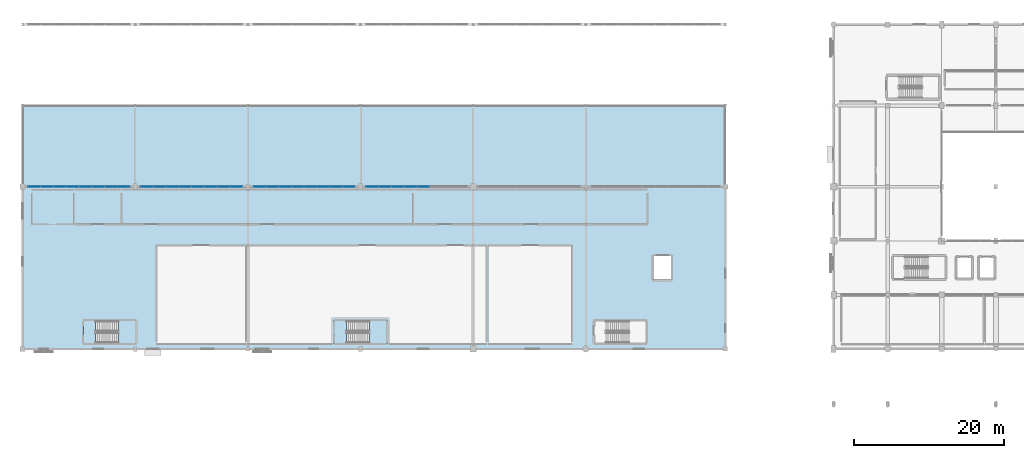
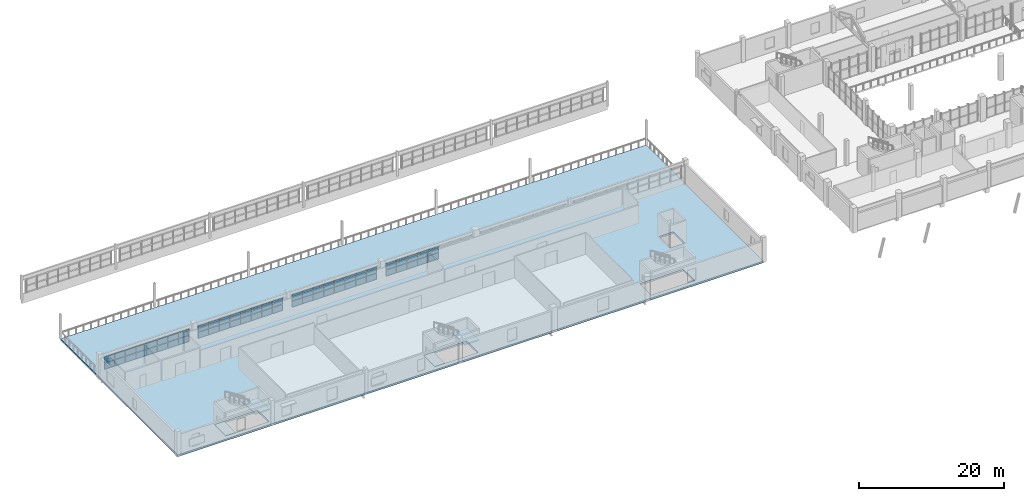
# One storey, part 51 of 92: 58 plates, 5 slabs, 6 elements without a shape of their own.
"""IFC4 building model written with IfcOpenShell, lengths in metres."""

from ifc_helpers import new_model, si_unit, direction, frame, origin, origin_2d, place, context, subcontext, project, spatial, polyline, rectangle, outline, extrude, material, layer, layer_set, type_object, element, aggregate, save


model = new_model("IFC4")

# Units and contexts
model_context = context("Model", 3, precision=1e-05, world=origin(), true_north=direction((0.0, 1.0)))
body_context = subcontext(model_context, "Body", "Model", "MODEL_VIEW")
ifc_project = project(units=[si_unit("LENGTHUNIT", "METRE"), si_unit("AREAUNIT", "SQUARE_METRE"), si_unit("VOLUMEUNIT", "CUBIC_METRE"), si_unit("PLANEANGLEUNIT", "RADIAN"), si_unit("MASSUNIT", "GRAM", prefix="KILO")], contexts=[model_context])

# Site, building, storey
site_placement = place(None, origin())
site = spatial("IfcSite", under=ifc_project, at=site_placement, CompositionType="ELEMENT")
building_placement = place(site_placement, origin())
building = spatial("IfcBuilding", under=site, at=building_placement, Name="Solanera Park Tramway Depot", CompositionType="ELEMENT")
storey_placement = place(building_placement, frame((0.0, 0.0, 4.800048828125)))
storey = spatial("IfcBuildingStorey", under=building, at=storey_placement, Name="L01", CompositionType="ELEMENT", Elevation=4.800048828125)

# Curtain wall, plates
ifc_material_1 = material(Name="Bronze-anodised thermally broken aluminium curtain wall", Category="aluminium")
curtain_wall_type = type_object("IfcCurtainWallType", Name="Workshop Daylight Ribbon Curtain Wall", PredefinedType="NOTDEFINED", material=ifc_material_1)
curtain_wall_1_placement = place(storey_placement, origin())
curtain_wall_1 = element("IfcCurtainWall", 1, at=curtain_wall_1_placement, inside=storey, type_object=curtain_wall_type, Name="L01 Workshop Daylight Ribbon Curtain Wall #141", PredefinedType="NOTDEFINED")
ifc_material_2 = material(Name="Low-E laminated solar-control double glazing", Category="glass")
ifc_layer_1 = layer(ifc_material_2, 0.028076171875)
ifc_layer_set_1 = layer_set([ifc_layer_1], Name="Low-E laminated solar-control double glazing")
plate_type = type_object("IfcPlateType", Name="Curtain Wall Double Glazing Panel 28", PredefinedType="CURTAIN_PANEL", material=ifc_layer_set_1)
plate_1_placement = place(storey_placement, frame((1.56640625, 32.39990234375, 1.11181640625), z_axis=(0.0, 0.0, 1.0), x_axis=(1.0, 0.0, 0.0)))
plate_1 = element("IfcPlate", 2, at=plate_1_placement, type_object=plate_type, Name="CW-L01-141 Glazing Panel R1.C1", PredefinedType="CURTAIN_PANEL", context=body_context, shape_type="SweptSolid", body=[
    extrude(rectangle(XDim=1.615478515625, YDim=0.028076171875, at=origin_2d()), origin(), (0.0, 0.0, 1.0), 0.986083984375),
])
plate_2_placement = place(storey_placement, frame((3.25, 32.39990234375, 1.11181640625), z_axis=(0.0, 0.0, 1.0), x_axis=(1.0, 0.0, 0.0)))
plate_2 = element("IfcPlate", 3, at=plate_2_placement, type_object=plate_type, Name="CW-L01-141 Glazing Panel R1.C2", PredefinedType="CURTAIN_PANEL", context=body_context, shape_type="SweptSolid", body=[
    extrude(rectangle(XDim=1.64794921875, YDim=0.028076171875, at=origin_2d()), origin(), (0.0, 0.0, 1.0), 0.986083984375),
])
plate_3_placement = place(storey_placement, frame((4.949951171875, 32.39990234375, 1.11181640625), z_axis=(0.0, 0.0, 1.0), x_axis=(1.0, 0.0, 0.0)))
plate_3 = element("IfcPlate", 4, at=plate_3_placement, type_object=plate_type, Name="CW-L01-141 Glazing Panel R1.C3", PredefinedType="CURTAIN_PANEL", context=body_context, shape_type="SweptSolid", body=[
    extrude(rectangle(XDim=1.64794921875, YDim=0.028076171875, at=origin_2d()), origin(), (0.0, 0.0, 1.0), 0.986083984375),
])
plate_4_placement = place(storey_placement, frame((6.64990234375, 32.39990234375, 1.11181640625), z_axis=(0.0, 0.0, 1.0), x_axis=(1.0, 0.0, 0.0)))
plate_4 = element("IfcPlate", 5, at=plate_4_placement, type_object=plate_type, Name="CW-L01-141 Glazing Panel R1.C4", PredefinedType="CURTAIN_PANEL", context=body_context, shape_type="SweptSolid", body=[
    extrude(rectangle(XDim=1.64794921875, YDim=0.028076171875, at=origin_2d()), origin(), (0.0, 0.0, 1.0), 0.986083984375),
])
plate_5_placement = place(storey_placement, frame((8.35009765625, 32.39990234375, 1.11181640625), z_axis=(0.0, 0.0, 1.0), x_axis=(1.0, 0.0, 0.0)))
plate_5 = element("IfcPlate", 6, at=plate_5_placement, type_object=plate_type, Name="CW-L01-141 Glazing Panel R1.C5", PredefinedType="CURTAIN_PANEL", context=body_context, shape_type="SweptSolid", body=[
    extrude(rectangle(XDim=1.64794921875, YDim=0.028076171875, at=origin_2d()), origin(), (0.0, 0.0, 1.0), 0.986083984375),
])
plate_6_placement = place(storey_placement, frame((10.050048828125, 32.39990234375, 1.11181640625), z_axis=(0.0, 0.0, 1.0), x_axis=(1.0, 0.0, 0.0)))
plate_6 = element("IfcPlate", 7, at=plate_6_placement, type_object=plate_type, Name="CW-L01-141 Glazing Panel R1.C6", PredefinedType="CURTAIN_PANEL", context=body_context, shape_type="SweptSolid", body=[
    extrude(rectangle(XDim=1.64794921875, YDim=0.028076171875, at=origin_2d()), origin(), (0.0, 0.0, 1.0), 0.986083984375),
])
plate_7_placement = place(storey_placement, frame((11.75, 32.39990234375, 1.11181640625), z_axis=(0.0, 0.0, 1.0), x_axis=(1.0, 0.0, 0.0)))
plate_7 = element("IfcPlate", 8, at=plate_7_placement, type_object=plate_type, Name="CW-L01-141 Glazing Panel R1.C7", PredefinedType="CURTAIN_PANEL", context=body_context, shape_type="SweptSolid", body=[
    extrude(rectangle(XDim=1.64794921875, YDim=0.028076171875, at=origin_2d()), origin(), (0.0, 0.0, 1.0), 0.986083984375),
])
plate_8_placement = place(storey_placement, frame((13.43359375, 32.39990234375, 1.11181640625), z_axis=(0.0, 0.0, 1.0), x_axis=(1.0, 0.0, 0.0)))
plate_8 = element("IfcPlate", 9, at=plate_8_placement, type_object=plate_type, Name="CW-L01-141 Glazing Panel R1.C8", PredefinedType="CURTAIN_PANEL", context=body_context, shape_type="SweptSolid", body=[
    extrude(rectangle(XDim=1.615478515625, YDim=0.028076171875, at=origin_2d()), origin(), (0.0, 0.0, 1.0), 0.986083984375),
])
plate_9_placement = place(storey_placement, frame((1.56640625, 32.39990234375, 2.2021484375), z_axis=(0.0, 0.0, 1.0), x_axis=(1.0, 0.0, 0.0)))
plate_9 = element("IfcPlate", 10, at=plate_9_placement, type_object=plate_type, Name="CW-L01-141 Glazing Panel R2.C1", PredefinedType="CURTAIN_PANEL", context=body_context, shape_type="SweptSolid", body=[
    extrude(rectangle(XDim=1.615478515625, YDim=0.028076171875, at=origin_2d()), origin(), (0.0, 0.0, 1.0), 0.986083984375),
])
plate_10_placement = place(storey_placement, frame((3.25, 32.39990234375, 2.2021484375), z_axis=(0.0, 0.0, 1.0), x_axis=(1.0, 0.0, 0.0)))
plate_10 = element("IfcPlate", 11, at=plate_10_placement, type_object=plate_type, Name="CW-L01-141 Glazing Panel R2.C2", PredefinedType="CURTAIN_PANEL", context=body_context, shape_type="SweptSolid", body=[
    extrude(rectangle(XDim=1.64794921875, YDim=0.028076171875, at=origin_2d()), origin(), (0.0, 0.0, 1.0), 0.986083984375),
])
plate_11_placement = place(storey_placement, frame((4.949951171875, 32.39990234375, 2.2021484375), z_axis=(0.0, 0.0, 1.0), x_axis=(1.0, 0.0, 0.0)))
plate_11 = element("IfcPlate", 12, at=plate_11_placement, type_object=plate_type, Name="CW-L01-141 Glazing Panel R2.C3", PredefinedType="CURTAIN_PANEL", context=body_context, shape_type="SweptSolid", body=[
    extrude(rectangle(XDim=1.64794921875, YDim=0.028076171875, at=origin_2d()), origin(), (0.0, 0.0, 1.0), 0.986083984375),
])
plate_12_placement = place(storey_placement, frame((6.64990234375, 32.39990234375, 2.2021484375), z_axis=(0.0, 0.0, 1.0), x_axis=(1.0, 0.0, 0.0)))
plate_12 = element("IfcPlate", 13, at=plate_12_placement, type_object=plate_type, Name="CW-L01-141 Glazing Panel R2.C4", PredefinedType="CURTAIN_PANEL", context=body_context, shape_type="SweptSolid", body=[
    extrude(rectangle(XDim=1.64794921875, YDim=0.028076171875, at=origin_2d()), origin(), (0.0, 0.0, 1.0), 0.986083984375),
])
plate_13_placement = place(storey_placement, frame((8.35009765625, 32.39990234375, 2.2021484375), z_axis=(0.0, 0.0, 1.0), x_axis=(1.0, 0.0, 0.0)))
plate_13 = element("IfcPlate", 14, at=plate_13_placement, type_object=plate_type, Name="CW-L01-141 Glazing Panel R2.C5", PredefinedType="CURTAIN_PANEL", context=body_context, shape_type="SweptSolid", body=[
    extrude(rectangle(XDim=1.64794921875, YDim=0.028076171875, at=origin_2d()), origin(), (0.0, 0.0, 1.0), 0.986083984375),
])
plate_14_placement = place(storey_placement, frame((10.050048828125, 32.39990234375, 2.2021484375), z_axis=(0.0, 0.0, 1.0), x_axis=(1.0, 0.0, 0.0)))
plate_14 = element("IfcPlate", 15, at=plate_14_placement, type_object=plate_type, Name="CW-L01-141 Glazing Panel R2.C6", PredefinedType="CURTAIN_PANEL", context=body_context, shape_type="SweptSolid", body=[
    extrude(rectangle(XDim=1.64794921875, YDim=0.028076171875, at=origin_2d()), origin(), (0.0, 0.0, 1.0), 0.986083984375),
])
plate_15_placement = place(storey_placement, frame((11.75, 32.39990234375, 2.2021484375), z_axis=(0.0, 0.0, 1.0), x_axis=(1.0, 0.0, 0.0)))
plate_15 = element("IfcPlate", 16, at=plate_15_placement, type_object=plate_type, Name="CW-L01-141 Glazing Panel R2.C7", PredefinedType="CURTAIN_PANEL", context=body_context, shape_type="SweptSolid", body=[
    extrude(rectangle(XDim=1.64794921875, YDim=0.028076171875, at=origin_2d()), origin(), (0.0, 0.0, 1.0), 0.986083984375),
])
plate_16_placement = place(storey_placement, frame((13.43359375, 32.39990234375, 2.2021484375), z_axis=(0.0, 0.0, 1.0), x_axis=(1.0, 0.0, 0.0)))
plate_16 = element("IfcPlate", 17, at=plate_16_placement, type_object=plate_type, Name="CW-L01-141 Glazing Panel R2.C8", PredefinedType="CURTAIN_PANEL", context=body_context, shape_type="SweptSolid", body=[
    extrude(rectangle(XDim=1.615478515625, YDim=0.028076171875, at=origin_2d()), origin(), (0.0, 0.0, 1.0), 0.986083984375),
])
aggregate(curtain_wall_1, [plate_1, plate_2, plate_3, plate_4, plate_5, plate_6, plate_7, plate_8, plate_9, plate_10, plate_11, plate_12, plate_13, plate_14, plate_15, plate_16])

curtain_wall_2_placement = place(storey_placement, origin())
curtain_wall_2 = element("IfcCurtainWall", 18, at=curtain_wall_2_placement, inside=storey, type_object=curtain_wall_type, Name="L01 Workshop Daylight Ribbon Curtain Wall #143", PredefinedType="NOTDEFINED")
plate_17_placement = place(storey_placement, frame((16.56640625, 32.39990234375, 1.11181640625), z_axis=(0.0, 0.0, 1.0), x_axis=(1.0, 0.0, 0.0)))
plate_17 = element("IfcPlate", 19, at=plate_17_placement, type_object=plate_type, Name="CW-L01-143 Glazing Panel R1.C1", PredefinedType="CURTAIN_PANEL", context=body_context, shape_type="SweptSolid", body=[
    extrude(rectangle(XDim=1.615478515625, YDim=0.028076171875, at=origin_2d()), origin(), (0.0, 0.0, 1.0), 0.986083984375),
])
plate_18_placement = place(storey_placement, frame((18.25, 32.39990234375, 1.11181640625), z_axis=(0.0, 0.0, 1.0), x_axis=(1.0, 0.0, 0.0)))
plate_18 = element("IfcPlate", 20, at=plate_18_placement, type_object=plate_type, Name="CW-L01-143 Glazing Panel R1.C2", PredefinedType="CURTAIN_PANEL", context=body_context, shape_type="SweptSolid", body=[
    extrude(rectangle(XDim=1.64794921875, YDim=0.028076171875, at=origin_2d()), origin(), (0.0, 0.0, 1.0), 0.986083984375),
])
plate_19_placement = place(storey_placement, frame((19.949951171875, 32.39990234375, 1.11181640625), z_axis=(0.0, 0.0, 1.0), x_axis=(1.0, 0.0, 0.0)))
plate_19 = element("IfcPlate", 21, at=plate_19_placement, type_object=plate_type, Name="CW-L01-143 Glazing Panel R1.C3", PredefinedType="CURTAIN_PANEL", context=body_context, shape_type="SweptSolid", body=[
    extrude(rectangle(XDim=1.64794921875, YDim=0.028076171875, at=origin_2d()), origin(), (0.0, 0.0, 1.0), 0.986083984375),
])
plate_20_placement = place(storey_placement, frame((21.64990234375, 32.39990234375, 1.11181640625), z_axis=(0.0, 0.0, 1.0), x_axis=(1.0, 0.0, 0.0)))
plate_20 = element("IfcPlate", 22, at=plate_20_placement, type_object=plate_type, Name="CW-L01-143 Glazing Panel R1.C4", PredefinedType="CURTAIN_PANEL", context=body_context, shape_type="SweptSolid", body=[
    extrude(rectangle(XDim=1.64794921875, YDim=0.028076171875, at=origin_2d()), origin(), (0.0, 0.0, 1.0), 0.986083984375),
])
plate_21_placement = place(storey_placement, frame((23.35009765625, 32.39990234375, 1.11181640625), z_axis=(0.0, 0.0, 1.0), x_axis=(1.0, 0.0, 0.0)))
plate_21 = element("IfcPlate", 23, at=plate_21_placement, type_object=plate_type, Name="CW-L01-143 Glazing Panel R1.C5", PredefinedType="CURTAIN_PANEL", context=body_context, shape_type="SweptSolid", body=[
    extrude(rectangle(XDim=1.64794921875, YDim=0.028076171875, at=origin_2d()), origin(), (0.0, 0.0, 1.0), 0.986083984375),
])
plate_22_placement = place(storey_placement, frame((25.050048828125, 32.39990234375, 1.11181640625), z_axis=(0.0, 0.0, 1.0), x_axis=(1.0, 0.0, 0.0)))
plate_22 = element("IfcPlate", 24, at=plate_22_placement, type_object=plate_type, Name="CW-L01-143 Glazing Panel R1.C6", PredefinedType="CURTAIN_PANEL", context=body_context, shape_type="SweptSolid", body=[
    extrude(rectangle(XDim=1.64794921875, YDim=0.028076171875, at=origin_2d()), origin(), (0.0, 0.0, 1.0), 0.986083984375),
])
plate_23_placement = place(storey_placement, frame((26.75, 32.39990234375, 1.11181640625), z_axis=(0.0, 0.0, 1.0), x_axis=(1.0, 0.0, 0.0)))
plate_23 = element("IfcPlate", 25, at=plate_23_placement, type_object=plate_type, Name="CW-L01-143 Glazing Panel R1.C7", PredefinedType="CURTAIN_PANEL", context=body_context, shape_type="SweptSolid", body=[
    extrude(rectangle(XDim=1.64794921875, YDim=0.028076171875, at=origin_2d()), origin(), (0.0, 0.0, 1.0), 0.986083984375),
])
plate_24_placement = place(storey_placement, frame((28.43359375, 32.39990234375, 1.11181640625), z_axis=(0.0, 0.0, 1.0), x_axis=(1.0, 0.0, 0.0)))
plate_24 = element("IfcPlate", 26, at=plate_24_placement, type_object=plate_type, Name="CW-L01-143 Glazing Panel R1.C8", PredefinedType="CURTAIN_PANEL", context=body_context, shape_type="SweptSolid", body=[
    extrude(rectangle(XDim=1.615478515625, YDim=0.028076171875, at=origin_2d()), origin(), (0.0, 0.0, 1.0), 0.986083984375),
])
plate_25_placement = place(storey_placement, frame((16.56640625, 32.39990234375, 2.2021484375), z_axis=(0.0, 0.0, 1.0), x_axis=(1.0, 0.0, 0.0)))
plate_25 = element("IfcPlate", 27, at=plate_25_placement, type_object=plate_type, Name="CW-L01-143 Glazing Panel R2.C1", PredefinedType="CURTAIN_PANEL", context=body_context, shape_type="SweptSolid", body=[
    extrude(rectangle(XDim=1.615478515625, YDim=0.028076171875, at=origin_2d()), origin(), (0.0, 0.0, 1.0), 0.986083984375),
])
plate_26_placement = place(storey_placement, frame((18.25, 32.39990234375, 2.2021484375), z_axis=(0.0, 0.0, 1.0), x_axis=(1.0, 0.0, 0.0)))
plate_26 = element("IfcPlate", 28, at=plate_26_placement, type_object=plate_type, Name="CW-L01-143 Glazing Panel R2.C2", PredefinedType="CURTAIN_PANEL", context=body_context, shape_type="SweptSolid", body=[
    extrude(rectangle(XDim=1.64794921875, YDim=0.028076171875, at=origin_2d()), origin(), (0.0, 0.0, 1.0), 0.986083984375),
])
plate_27_placement = place(storey_placement, frame((19.949951171875, 32.39990234375, 2.2021484375), z_axis=(0.0, 0.0, 1.0), x_axis=(1.0, 0.0, 0.0)))
plate_27 = element("IfcPlate", 29, at=plate_27_placement, type_object=plate_type, Name="CW-L01-143 Glazing Panel R2.C3", PredefinedType="CURTAIN_PANEL", context=body_context, shape_type="SweptSolid", body=[
    extrude(rectangle(XDim=1.64794921875, YDim=0.028076171875, at=origin_2d()), origin(), (0.0, 0.0, 1.0), 0.986083984375),
])
plate_28_placement = place(storey_placement, frame((21.64990234375, 32.39990234375, 2.2021484375), z_axis=(0.0, 0.0, 1.0), x_axis=(1.0, 0.0, 0.0)))
plate_28 = element("IfcPlate", 30, at=plate_28_placement, type_object=plate_type, Name="CW-L01-143 Glazing Panel R2.C4", PredefinedType="CURTAIN_PANEL", context=body_context, shape_type="SweptSolid", body=[
    extrude(rectangle(XDim=1.64794921875, YDim=0.028076171875, at=origin_2d()), origin(), (0.0, 0.0, 1.0), 0.986083984375),
])
plate_29_placement = place(storey_placement, frame((23.35009765625, 32.39990234375, 2.2021484375), z_axis=(0.0, 0.0, 1.0), x_axis=(1.0, 0.0, 0.0)))
plate_29 = element("IfcPlate", 31, at=plate_29_placement, type_object=plate_type, Name="CW-L01-143 Glazing Panel R2.C5", PredefinedType="CURTAIN_PANEL", context=body_context, shape_type="SweptSolid", body=[
    extrude(rectangle(XDim=1.64794921875, YDim=0.028076171875, at=origin_2d()), origin(), (0.0, 0.0, 1.0), 0.986083984375),
])
plate_30_placement = place(storey_placement, frame((25.050048828125, 32.39990234375, 2.2021484375), z_axis=(0.0, 0.0, 1.0), x_axis=(1.0, 0.0, 0.0)))
plate_30 = element("IfcPlate", 32, at=plate_30_placement, type_object=plate_type, Name="CW-L01-143 Glazing Panel R2.C6", PredefinedType="CURTAIN_PANEL", context=body_context, shape_type="SweptSolid", body=[
    extrude(rectangle(XDim=1.64794921875, YDim=0.028076171875, at=origin_2d()), origin(), (0.0, 0.0, 1.0), 0.986083984375),
])
plate_31_placement = place(storey_placement, frame((26.75, 32.39990234375, 2.2021484375), z_axis=(0.0, 0.0, 1.0), x_axis=(1.0, 0.0, 0.0)))
plate_31 = element("IfcPlate", 33, at=plate_31_placement, type_object=plate_type, Name="CW-L01-143 Glazing Panel R2.C7", PredefinedType="CURTAIN_PANEL", context=body_context, shape_type="SweptSolid", body=[
    extrude(rectangle(XDim=1.64794921875, YDim=0.028076171875, at=origin_2d()), origin(), (0.0, 0.0, 1.0), 0.986083984375),
])
plate_32_placement = place(storey_placement, frame((28.43359375, 32.39990234375, 2.2021484375), z_axis=(0.0, 0.0, 1.0), x_axis=(1.0, 0.0, 0.0)))
plate_32 = element("IfcPlate", 34, at=plate_32_placement, type_object=plate_type, Name="CW-L01-143 Glazing Panel R2.C8", PredefinedType="CURTAIN_PANEL", context=body_context, shape_type="SweptSolid", body=[
    extrude(rectangle(XDim=1.615478515625, YDim=0.028076171875, at=origin_2d()), origin(), (0.0, 0.0, 1.0), 0.986083984375),
])
aggregate(curtain_wall_2, [plate_17, plate_18, plate_19, plate_20, plate_21, plate_22, plate_23, plate_24, plate_25, plate_26, plate_27, plate_28, plate_29, plate_30, plate_31, plate_32])

curtain_wall_3_placement = place(storey_placement, origin())
curtain_wall_3 = element("IfcCurtainWall", 35, at=curtain_wall_3_placement, inside=storey, type_object=curtain_wall_type, Name="L01 Workshop Daylight Ribbon Curtain Wall #145", PredefinedType="NOTDEFINED")
plate_33_placement = place(storey_placement, frame((31.56640625, 32.39990234375, 1.11181640625), z_axis=(0.0, 0.0, 1.0), x_axis=(1.0, 0.0, 0.0)))
plate_33 = element("IfcPlate", 36, at=plate_33_placement, type_object=plate_type, Name="CW-L01-145 Glazing Panel R1.C1", PredefinedType="CURTAIN_PANEL", context=body_context, shape_type="SweptSolid", body=[
    extrude(rectangle(XDim=1.615478515625, YDim=0.028076171875, at=origin_2d()), origin(), (0.0, 0.0, 1.0), 0.986083984375),
])
plate_34_placement = place(storey_placement, frame((33.25, 32.39990234375, 1.11181640625), z_axis=(0.0, 0.0, 1.0), x_axis=(1.0, 0.0, 0.0)))
plate_34 = element("IfcPlate", 37, at=plate_34_placement, type_object=plate_type, Name="CW-L01-145 Glazing Panel R1.C2", PredefinedType="CURTAIN_PANEL", context=body_context, shape_type="SweptSolid", body=[
    extrude(rectangle(XDim=1.64794921875, YDim=0.028076171875, at=origin_2d()), origin(), (0.0, 0.0, 1.0), 0.986083984375),
])
plate_35_placement = place(storey_placement, frame((34.949951171875, 32.39990234375, 1.11181640625), z_axis=(0.0, 0.0, 1.0), x_axis=(1.0, 0.0, 0.0)))
plate_35 = element("IfcPlate", 38, at=plate_35_placement, type_object=plate_type, Name="CW-L01-145 Glazing Panel R1.C3", PredefinedType="CURTAIN_PANEL", context=body_context, shape_type="SweptSolid", body=[
    extrude(rectangle(XDim=1.64794921875, YDim=0.028076171875, at=origin_2d()), origin(), (0.0, 0.0, 1.0), 0.986083984375),
])
plate_36_placement = place(storey_placement, frame((36.64990234375, 32.39990234375, 1.11181640625), z_axis=(0.0, 0.0, 1.0), x_axis=(1.0, 0.0, 0.0)))
plate_36 = element("IfcPlate", 39, at=plate_36_placement, type_object=plate_type, Name="CW-L01-145 Glazing Panel R1.C4", PredefinedType="CURTAIN_PANEL", context=body_context, shape_type="SweptSolid", body=[
    extrude(rectangle(XDim=1.64794921875, YDim=0.028076171875, at=origin_2d()), origin(), (0.0, 0.0, 1.0), 0.986083984375),
])
plate_37_placement = place(storey_placement, frame((38.35009765625, 32.39990234375, 1.11181640625), z_axis=(0.0, 0.0, 1.0), x_axis=(1.0, 0.0, 0.0)))
plate_37 = element("IfcPlate", 40, at=plate_37_placement, type_object=plate_type, Name="CW-L01-145 Glazing Panel R1.C5", PredefinedType="CURTAIN_PANEL", context=body_context, shape_type="SweptSolid", body=[
    extrude(rectangle(XDim=1.64794921875, YDim=0.028076171875, at=origin_2d()), origin(), (0.0, 0.0, 1.0), 0.986083984375),
])
plate_38_placement = place(storey_placement, frame((40.050048828125, 32.39990234375, 1.11181640625), z_axis=(0.0, 0.0, 1.0), x_axis=(1.0, 0.0, 0.0)))
plate_38 = element("IfcPlate", 41, at=plate_38_placement, type_object=plate_type, Name="CW-L01-145 Glazing Panel R1.C6", PredefinedType="CURTAIN_PANEL", context=body_context, shape_type="SweptSolid", body=[
    extrude(rectangle(XDim=1.64794921875, YDim=0.028076171875, at=origin_2d()), origin(), (0.0, 0.0, 1.0), 0.986083984375),
])
plate_39_placement = place(storey_placement, frame((41.75, 32.39990234375, 1.11181640625), z_axis=(0.0, 0.0, 1.0), x_axis=(1.0, 0.0, 0.0)))
plate_39 = element("IfcPlate", 42, at=plate_39_placement, type_object=plate_type, Name="CW-L01-145 Glazing Panel R1.C7", PredefinedType="CURTAIN_PANEL", context=body_context, shape_type="SweptSolid", body=[
    extrude(rectangle(XDim=1.64794921875, YDim=0.028076171875, at=origin_2d()), origin(), (0.0, 0.0, 1.0), 0.986083984375),
])
plate_40_placement = place(storey_placement, frame((43.43359375, 32.39990234375, 1.11181640625), z_axis=(0.0, 0.0, 1.0), x_axis=(1.0, 0.0, 0.0)))
plate_40 = element("IfcPlate", 43, at=plate_40_placement, type_object=plate_type, Name="CW-L01-145 Glazing Panel R1.C8", PredefinedType="CURTAIN_PANEL", context=body_context, shape_type="SweptSolid", body=[
    extrude(rectangle(XDim=1.615478515625, YDim=0.028076171875, at=origin_2d()), origin(), (0.0, 0.0, 1.0), 0.986083984375),
])
plate_41_placement = place(storey_placement, frame((31.56640625, 32.39990234375, 2.2021484375), z_axis=(0.0, 0.0, 1.0), x_axis=(1.0, 0.0, 0.0)))
plate_41 = element("IfcPlate", 44, at=plate_41_placement, type_object=plate_type, Name="CW-L01-145 Glazing Panel R2.C1", PredefinedType="CURTAIN_PANEL", context=body_context, shape_type="SweptSolid", body=[
    extrude(rectangle(XDim=1.615478515625, YDim=0.028076171875, at=origin_2d()), origin(), (0.0, 0.0, 1.0), 0.986083984375),
])
plate_42_placement = place(storey_placement, frame((33.25, 32.39990234375, 2.2021484375), z_axis=(0.0, 0.0, 1.0), x_axis=(1.0, 0.0, 0.0)))
plate_42 = element("IfcPlate", 45, at=plate_42_placement, type_object=plate_type, Name="CW-L01-145 Glazing Panel R2.C2", PredefinedType="CURTAIN_PANEL", context=body_context, shape_type="SweptSolid", body=[
    extrude(rectangle(XDim=1.64794921875, YDim=0.028076171875, at=origin_2d()), origin(), (0.0, 0.0, 1.0), 0.986083984375),
])
plate_43_placement = place(storey_placement, frame((34.949951171875, 32.39990234375, 2.2021484375), z_axis=(0.0, 0.0, 1.0), x_axis=(1.0, 0.0, 0.0)))
plate_43 = element("IfcPlate", 46, at=plate_43_placement, type_object=plate_type, Name="CW-L01-145 Glazing Panel R2.C3", PredefinedType="CURTAIN_PANEL", context=body_context, shape_type="SweptSolid", body=[
    extrude(rectangle(XDim=1.64794921875, YDim=0.028076171875, at=origin_2d()), origin(), (0.0, 0.0, 1.0), 0.986083984375),
])
plate_44_placement = place(storey_placement, frame((36.64990234375, 32.39990234375, 2.2021484375), z_axis=(0.0, 0.0, 1.0), x_axis=(1.0, 0.0, 0.0)))
plate_44 = element("IfcPlate", 47, at=plate_44_placement, type_object=plate_type, Name="CW-L01-145 Glazing Panel R2.C4", PredefinedType="CURTAIN_PANEL", context=body_context, shape_type="SweptSolid", body=[
    extrude(rectangle(XDim=1.64794921875, YDim=0.028076171875, at=origin_2d()), origin(), (0.0, 0.0, 1.0), 0.986083984375),
])
plate_45_placement = place(storey_placement, frame((38.35009765625, 32.39990234375, 2.2021484375), z_axis=(0.0, 0.0, 1.0), x_axis=(1.0, 0.0, 0.0)))
plate_45 = element("IfcPlate", 48, at=plate_45_placement, type_object=plate_type, Name="CW-L01-145 Glazing Panel R2.C5", PredefinedType="CURTAIN_PANEL", context=body_context, shape_type="SweptSolid", body=[
    extrude(rectangle(XDim=1.64794921875, YDim=0.028076171875, at=origin_2d()), origin(), (0.0, 0.0, 1.0), 0.986083984375),
])
plate_46_placement = place(storey_placement, frame((40.050048828125, 32.39990234375, 2.2021484375), z_axis=(0.0, 0.0, 1.0), x_axis=(1.0, 0.0, 0.0)))
plate_46 = element("IfcPlate", 49, at=plate_46_placement, type_object=plate_type, Name="CW-L01-145 Glazing Panel R2.C6", PredefinedType="CURTAIN_PANEL", context=body_context, shape_type="SweptSolid", body=[
    extrude(rectangle(XDim=1.64794921875, YDim=0.028076171875, at=origin_2d()), origin(), (0.0, 0.0, 1.0), 0.986083984375),
])
plate_47_placement = place(storey_placement, frame((41.75, 32.39990234375, 2.2021484375), z_axis=(0.0, 0.0, 1.0), x_axis=(1.0, 0.0, 0.0)))
plate_47 = element("IfcPlate", 50, at=plate_47_placement, type_object=plate_type, Name="CW-L01-145 Glazing Panel R2.C7", PredefinedType="CURTAIN_PANEL", context=body_context, shape_type="SweptSolid", body=[
    extrude(rectangle(XDim=1.64794921875, YDim=0.028076171875, at=origin_2d()), origin(), (0.0, 0.0, 1.0), 0.986083984375),
])
plate_48_placement = place(storey_placement, frame((43.43359375, 32.39990234375, 2.2021484375), z_axis=(0.0, 0.0, 1.0), x_axis=(1.0, 0.0, 0.0)))
plate_48 = element("IfcPlate", 51, at=plate_48_placement, type_object=plate_type, Name="CW-L01-145 Glazing Panel R2.C8", PredefinedType="CURTAIN_PANEL", context=body_context, shape_type="SweptSolid", body=[
    extrude(rectangle(XDim=1.615478515625, YDim=0.028076171875, at=origin_2d()), origin(), (0.0, 0.0, 1.0), 0.986083984375),
])
aggregate(curtain_wall_3, [plate_33, plate_34, plate_35, plate_36, plate_37, plate_38, plate_39, plate_40, plate_41, plate_42, plate_43, plate_44, plate_45, plate_46, plate_47, plate_48])

curtain_wall_4_placement = place(storey_placement, origin())
curtain_wall_4 = element("IfcCurtainWall", 52, at=curtain_wall_4_placement, inside=storey, type_object=curtain_wall_type, Name="L01 Workshop Daylight Ribbon Curtain Wall #147", PredefinedType="NOTDEFINED")
plate_49_placement = place(storey_placement, frame((46.56640625, 32.39990234375, 1.11181640625), z_axis=(0.0, 0.0, 1.0), x_axis=(1.0, 0.0, 0.0)))
plate_49 = element("IfcPlate", 53, at=plate_49_placement, type_object=plate_type, Name="CW-L01-147 Glazing Panel R1.C1", PredefinedType="CURTAIN_PANEL", context=body_context, shape_type="SweptSolid", body=[
    extrude(rectangle(XDim=1.615478515625, YDim=0.028076171875, at=origin_2d()), origin(), (0.0, 0.0, 1.0), 0.986083984375),
])
plate_50_placement = place(storey_placement, frame((48.25, 32.39990234375, 1.11181640625), z_axis=(0.0, 0.0, 1.0), x_axis=(1.0, 0.0, 0.0)))
plate_50 = element("IfcPlate", 54, at=plate_50_placement, type_object=plate_type, Name="CW-L01-147 Glazing Panel R1.C2", PredefinedType="CURTAIN_PANEL", context=body_context, shape_type="SweptSolid", body=[
    extrude(rectangle(XDim=1.64794921875, YDim=0.028076171875, at=origin_2d()), origin(), (0.0, 0.0, 1.0), 0.986083984375),
])
plate_51_placement = place(storey_placement, frame((49.949951171875, 32.39990234375, 1.11181640625), z_axis=(0.0, 0.0, 1.0), x_axis=(1.0, 0.0, 0.0)))
plate_51 = element("IfcPlate", 55, at=plate_51_placement, type_object=plate_type, Name="CW-L01-147 Glazing Panel R1.C3", PredefinedType="CURTAIN_PANEL", context=body_context, shape_type="SweptSolid", body=[
    extrude(rectangle(XDim=1.64794921875, YDim=0.028076171875, at=origin_2d()), origin(), (0.0, 0.0, 1.0), 0.986083984375),
])
plate_52_placement = place(storey_placement, frame((51.64990234375, 32.39990234375, 1.11181640625), z_axis=(0.0, 0.0, 1.0), x_axis=(1.0, 0.0, 0.0)))
plate_52 = element("IfcPlate", 56, at=plate_52_placement, type_object=plate_type, Name="CW-L01-147 Glazing Panel R1.C4", PredefinedType="CURTAIN_PANEL", context=body_context, shape_type="SweptSolid", body=[
    extrude(rectangle(XDim=1.64794921875, YDim=0.028076171875, at=origin_2d()), origin(), (0.0, 0.0, 1.0), 0.986083984375),
])
plate_53_placement = place(storey_placement, frame((53.35009765625, 32.39990234375, 1.11181640625), z_axis=(0.0, 0.0, 1.0), x_axis=(1.0, 0.0, 0.0)))
plate_53 = element("IfcPlate", 57, at=plate_53_placement, type_object=plate_type, Name="CW-L01-147 Glazing Panel R1.C5", PredefinedType="CURTAIN_PANEL", context=body_context, shape_type="SweptSolid", body=[
    extrude(rectangle(XDim=1.64794921875, YDim=0.028076171875, at=origin_2d()), origin(), (0.0, 0.0, 1.0), 0.986083984375),
])
plate_54_placement = place(storey_placement, frame((46.56640625, 32.39990234375, 2.2021484375), z_axis=(0.0, 0.0, 1.0), x_axis=(1.0, 0.0, 0.0)))
plate_54 = element("IfcPlate", 58, at=plate_54_placement, type_object=plate_type, Name="CW-L01-147 Glazing Panel R2.C1", PredefinedType="CURTAIN_PANEL", context=body_context, shape_type="SweptSolid", body=[
    extrude(rectangle(XDim=1.615478515625, YDim=0.028076171875, at=origin_2d()), origin(), (0.0, 0.0, 1.0), 0.986083984375),
])
plate_55_placement = place(storey_placement, frame((48.25, 32.39990234375, 2.2021484375), z_axis=(0.0, 0.0, 1.0), x_axis=(1.0, 0.0, 0.0)))
plate_55 = element("IfcPlate", 59, at=plate_55_placement, type_object=plate_type, Name="CW-L01-147 Glazing Panel R2.C2", PredefinedType="CURTAIN_PANEL", context=body_context, shape_type="SweptSolid", body=[
    extrude(rectangle(XDim=1.64794921875, YDim=0.028076171875, at=origin_2d()), origin(), (0.0, 0.0, 1.0), 0.986083984375),
])
plate_56_placement = place(storey_placement, frame((49.949951171875, 32.39990234375, 2.2021484375), z_axis=(0.0, 0.0, 1.0), x_axis=(1.0, 0.0, 0.0)))
plate_56 = element("IfcPlate", 60, at=plate_56_placement, type_object=plate_type, Name="CW-L01-147 Glazing Panel R2.C3", PredefinedType="CURTAIN_PANEL", context=body_context, shape_type="SweptSolid", body=[
    extrude(rectangle(XDim=1.64794921875, YDim=0.028076171875, at=origin_2d()), origin(), (0.0, 0.0, 1.0), 0.986083984375),
])
plate_57_placement = place(storey_placement, frame((51.64990234375, 32.39990234375, 2.2021484375), z_axis=(0.0, 0.0, 1.0), x_axis=(1.0, 0.0, 0.0)))
plate_57 = element("IfcPlate", 61, at=plate_57_placement, type_object=plate_type, Name="CW-L01-147 Glazing Panel R2.C4", PredefinedType="CURTAIN_PANEL", context=body_context, shape_type="SweptSolid", body=[
    extrude(rectangle(XDim=1.64794921875, YDim=0.028076171875, at=origin_2d()), origin(), (0.0, 0.0, 1.0), 0.986083984375),
])
plate_58_placement = place(storey_placement, frame((53.35009765625, 32.39990234375, 2.2021484375), z_axis=(0.0, 0.0, 1.0), x_axis=(1.0, 0.0, 0.0)))
plate_58 = element("IfcPlate", 62, at=plate_58_placement, type_object=plate_type, Name="CW-L01-147 Glazing Panel R2.C5", PredefinedType="CURTAIN_PANEL", context=body_context, shape_type="SweptSolid", body=[
    extrude(rectangle(XDim=1.64794921875, YDim=0.028076171875, at=origin_2d()), origin(), (0.0, 0.0, 1.0), 0.986083984375),
])
aggregate(curtain_wall_4, [plate_49, plate_50, plate_51, plate_52, plate_53, plate_54, plate_55, plate_56, plate_57, plate_58])

# Slabs
ifc_material_3 = material(Name="Concrete N40 (C40/50)", Category="concrete")
ifc_layer_2 = layer(ifc_material_3, 0.300048828125)
ifc_layer_set_2 = layer_set([ifc_layer_2], Name="Concrete N40 (C40/50)")
slab_type_1 = type_object("IfcSlabType", Name="Slab Floor 300", PredefinedType="FLOOR", material=ifc_layer_set_2)
slab_1_placement = place(storey_placement, frame((0.0, 0.0, -0.300048828125)))
element("IfcSlab", 63, at=slab_1_placement, inside=storey, type_object=slab_type_1, Name="L01 Structural Slab SL-L01-V2", PredefinedType="FLOOR", context=body_context, shape_type="SweptSolid", body=[
    extrude(outline(polyline([(93.60009765625, 10.800048828125), (0.0, 10.800048828125), (0.0, 43.199951171875), (93.60009765625, 43.199951171875), (93.60009765625, 10.800048828125)]), holes=[polyline([(15.0, 11.47509765625), (15.0, 14.625), (8.074951171875, 14.625), (8.074951171875, 11.47509765625), (15.0, 11.47509765625)]), polyline([(76.074951171875, 11.47509765625), (83.0, 11.47509765625), (83.0, 14.625), (76.074951171875, 14.625), (76.074951171875, 11.47509765625)]), polyline([(41.47509765625, 14.625), (41.47509765625, 11.47509765625), (48.39990234375, 11.47509765625), (48.39990234375, 14.625), (41.47509765625, 14.625)]), polyline([(86.35009765625, 23.14990234375), (84.050048828125, 23.14990234375), (84.050048828125, 20.050048828125), (86.35009765625, 20.050048828125), (86.35009765625, 23.14990234375)])]), origin(), (0.0, 0.0, 1.0), 0.300048828125),
])
ifc_material_4 = material(Name="Concrete N40 (C40/50)", Category="concrete")
ifc_layer_3 = layer(ifc_material_4, 0.300048828125)
ifc_layer_set_3 = layer_set([ifc_layer_3], Name="Concrete N40 (C40/50)")
slab_type_2 = type_object("IfcSlabType", Name="Slab Stair Floor Landing 300", PredefinedType="LANDING", material=ifc_layer_set_3)
slab_2_placement = place(storey_placement, frame((0.0, 0.0, -0.300048828125)))
element("IfcSlab", 64, at=slab_2_placement, inside=storey, type_object=slab_type_2, Name="ST-08 L01 Floor Landing", PredefinedType="LANDING", context=body_context, shape_type="SweptSolid", body=[
    extrude(outline(polyline([(8.080078125, 11.47998046875), (9.699951171875, 11.47998046875), (9.699951171875, 14.6201171875), (8.080078125, 14.6201171875), (8.080078125, 11.47998046875)])), origin(), (0.0, 0.0, 1.0), 0.300048828125),
])
slab_3_placement = place(storey_placement, frame((0.0, 0.0, -0.300048828125)))
element("IfcSlab", 65, at=slab_3_placement, inside=storey, type_object=slab_type_2, Name="ST-12 L01 Floor Landing", PredefinedType="LANDING", context=body_context, shape_type="SweptSolid", body=[
    extrude(outline(polyline([(41.47998046875, 11.47998046875), (43.10009765625, 11.47998046875), (43.10009765625, 14.6201171875), (41.47998046875, 14.6201171875), (41.47998046875, 11.47998046875)])), origin(), (0.0, 0.0, 1.0), 0.300048828125),
])

# Stair, slab
ifc_material_5 = material(Name="Concrete N40 (C40/50)", Category="concrete")
stair_type = type_object("IfcStairType", Name="Stair Half-Turn Dogleg 4200", PredefinedType="HALF_TURN_STAIR", material=ifc_material_5)
stair_1_placement = place(storey_placement, origin())
stair_1 = element("IfcStair", 66, at=stair_1_placement, inside=storey, type_object=stair_type, Name="ST-08 L01 Half-Turn Stair", PredefinedType="HALF_TURN_STAIR")
ifc_material_6 = material(Name="Concrete N40 (C40/50)", Category="concrete")
ifc_layer_4 = layer(ifc_material_6, 0.199951171875)
ifc_layer_set_4 = layer_set([ifc_layer_4], Name="Concrete N40 (C40/50)")
slab_type_3 = type_object("IfcSlabType", Name="Slab Stair Landing 200", PredefinedType="LANDING", material=ifc_layer_set_4)
slab_4_placement = place(storey_placement, frame((0.0, 0.0, 1.89990234375)))
slab_4 = element("IfcSlab", 67, at=slab_4_placement, type_object=slab_type_3, Name="ST-08 L01 Half-Landing 1", PredefinedType="LANDING", context=body_context, shape_type="SweptSolid", body=[
    extrude(outline(polyline([(12.780029296875, 11.47998046875), (15.1201171875, 11.47998046875), (15.1201171875, 14.6201171875), (12.780029296875, 14.6201171875), (12.780029296875, 11.47998046875)])), origin(), (0.0, 0.0, 1.0), 0.199951171875),
])
aggregate(stair_1, [slab_4])

stair_2_placement = place(storey_placement, origin())
stair_2 = element("IfcStair", 68, at=stair_2_placement, inside=storey, type_object=stair_type, Name="ST-12 L01 Half-Turn Stair", PredefinedType="HALF_TURN_STAIR")
slab_5_placement = place(storey_placement, frame((0.0, 0.0, 1.89990234375)))
slab_5 = element("IfcSlab", 69, at=slab_5_placement, type_object=slab_type_3, Name="ST-12 L01 Half-Landing 1", PredefinedType="LANDING", context=body_context, shape_type="SweptSolid", body=[
    extrude(outline(polyline([(46.179931640625, 11.47998046875), (48.52001953125, 11.47998046875), (48.52001953125, 14.6201171875), (46.179931640625, 14.6201171875), (46.179931640625, 11.47998046875)])), origin(), (0.0, 0.0, 1.0), 0.199951171875),
])
aggregate(stair_2, [slab_5])

save(model, "model.ifc")
